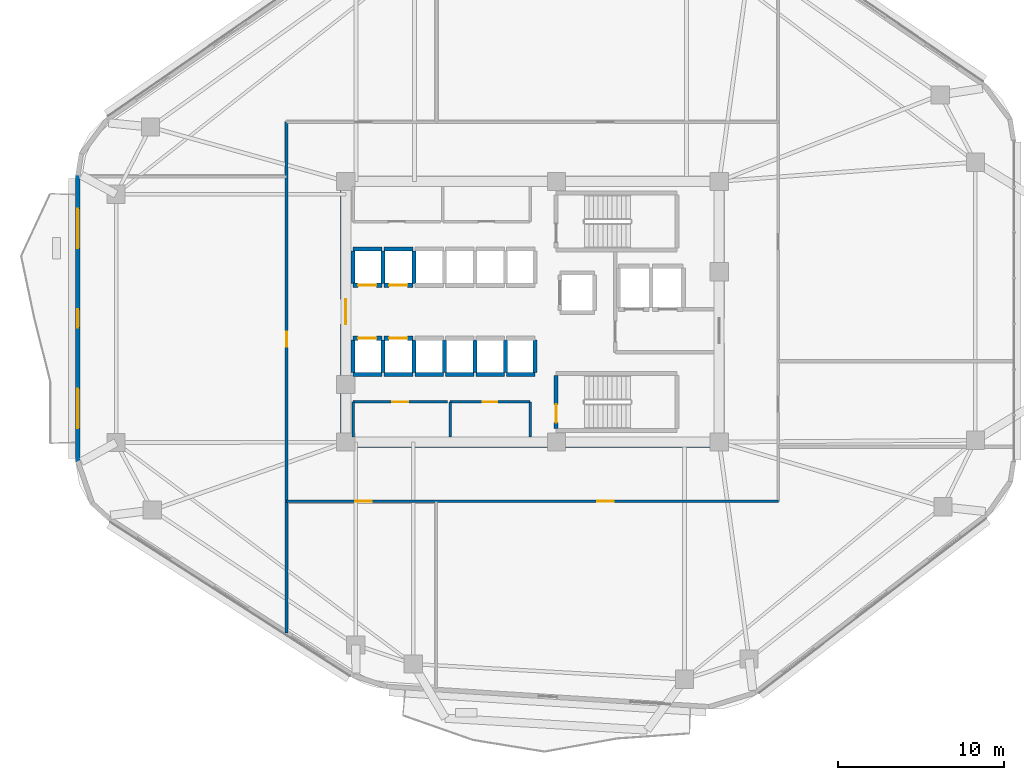
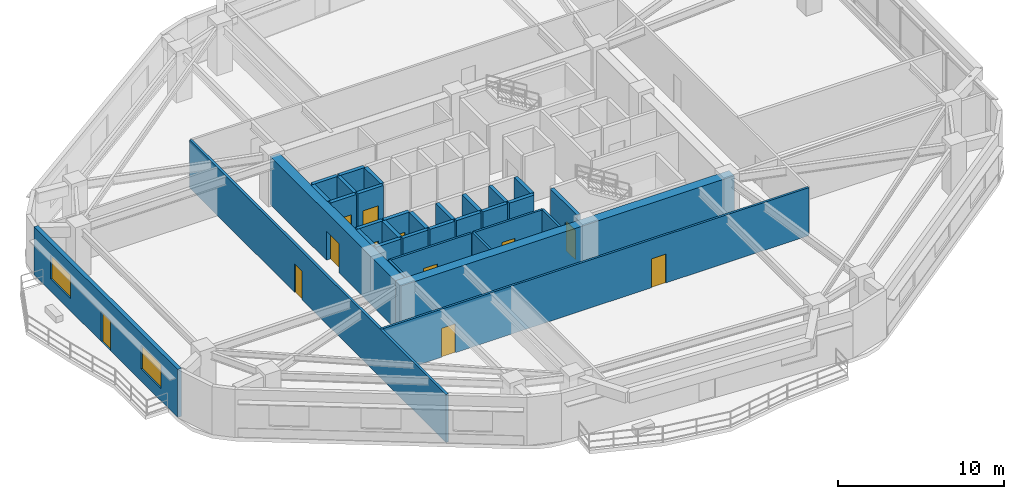
# One storey, part 8 of 13: 33 walls, 12 doors, 2 windows, 14 openings.
"""IFC4 building model written with IfcOpenShell, lengths in metres."""

from ifc_helpers import new_model, si_unit, direction, frame, frame_2d, origin, place, context, subcontext, project, spatial, rectangle, extrude, material, layer, layer_set, type_object, element, fill, save


model = new_model("IFC4")

# Units and contexts
model_context = context("Model", 3, precision=1e-05, world=origin(), true_north=direction((0.0, 1.0)))
body_context = subcontext(model_context, "Body", "Model", "MODEL_VIEW")
ifc_project = project(units=[si_unit("LENGTHUNIT", "METRE"), si_unit("AREAUNIT", "SQUARE_METRE"), si_unit("VOLUMEUNIT", "CUBIC_METRE"), si_unit("PLANEANGLEUNIT", "RADIAN"), si_unit("MASSUNIT", "GRAM", prefix="KILO")], contexts=[model_context])

# Site, building, storey
site_placement = place(None, origin())
site = spatial("IfcSite", under=ifc_project, at=site_placement, CompositionType="ELEMENT")
building_placement = place(site_placement, origin())
building = spatial("IfcBuilding", under=site, at=building_placement, Name="Zulverin Broadcast Headquarters", CompositionType="ELEMENT")
storey_placement = place(building_placement, frame((0.0, 0.0, 108.60009765625)))
storey = spatial("IfcBuildingStorey", under=building, at=storey_placement, Name="L27", CompositionType="ELEMENT", Elevation=108.60009765625)

# Wall
ifc_material_1 = material(Name="Concrete C60/75", Category="concrete")
ifc_layer_1 = layer(ifc_material_1, 0.64990234375, Name="Concrete C60/75", Category="concrete")
ifc_layer_set_1 = layer_set([ifc_layer_1], Name="Concrete C60/75")
wall_type_1 = type_object("IfcWallType", Name="WL-CORE-650", PredefinedType="SHEAR", material=ifc_layer_set_1)
wall_1_placement = place(storey_placement, frame((25.39990234375, 17.324951171875, 0.0), z_axis=(0.0, 0.0, 1.0), x_axis=(1.0, 0.0, 0.0)))
element("IfcWall", 1, at=wall_1_placement, inside=storey, type_object=wall_type_1, Name="L27 Core South Shear Wall", PredefinedType="SHEAR", context=body_context, shape_type="SweptSolid", body=[
    extrude(rectangle(XDim=23.2001953125, YDim=0.64990234375, at=frame_2d((11.60009765625, 0.0))), origin(), (0.0, 0.0, 1.0), 3.52490234375),
])

# Wall, opening, door
wall_2_placement = place(storey_placement, frame((25.72509765625, 17.64990234375, 0.0), z_axis=(0.0, 0.0, 1.0), x_axis=(0.0, 1.0, 0.0)))
wall_2 = element("IfcWall", 2, at=wall_2_placement, inside=storey, type_object=wall_type_1, Name="L27 Core West Shear Wall", PredefinedType="SHEAR", context=body_context, shape_type="SweptSolid", body=[
    extrude(rectangle(XDim=15.10009765625, YDim=0.64990234375, at=frame_2d((7.550048828125, 0.0))), origin(), (0.0, 0.0, 1.0), 3.52490234375),
])
opening_1_placement = place(wall_2_placement, frame((6.800048828125, 0.0, 0.0)))
opening_1 = element("IfcOpeningElement", 3, at=opening_1_placement, cuts=wall_2, Name="Opening D-L27-CW1", PredefinedType="OPENING", context=body_context, shape_type="SweptSolid", body=[
    extrude(rectangle(XDim=1.5, YDim=2.14990234375, at=frame_2d((0.75, 1.074951171875))), frame((0.0, 0.3349609375, 0.0), z_axis=(0.0, -1.0, 0.0), x_axis=(1.0, 0.0, 0.0)), (0.0, 0.0, 1.0), 0.669921875),
])
ifc_material_2 = material(Name="Fire-rated glazed steel frame", Category="steel")
door_type_1 = type_object("IfcDoorType", Name="DR-COR-1500", OperationType="DOUBLE_DOOR_SINGLE_SWING", PredefinedType="DOOR", material=ifc_material_2)
door_1_placement = place(opening_1_placement, origin())
door_1 = element("IfcDoor", 4, at=door_1_placement, inside=storey, type_object=door_type_1, Name="L27 Central Lift Lobby West Portal Door", OperationType="DOUBLE_DOOR_SINGLE_SWING", OverallHeight=2.14990234375, OverallWidth=1.5, PredefinedType="DOOR", context=body_context, shape_type="SweptSolid", body=[
    extrude(rectangle(XDim=1.5, YDim=2.14990234375, at=frame_2d((0.75, 1.074951171875))), frame((0.0, 0.02490234375, 0.0), z_axis=(0.0, -1.0, 0.0), x_axis=(1.0, 0.0, 0.0)), (0.0, 0.0, 1.0), 0.050048828125),
])
fill(opening_1, door_1)

# Wall, openings, door, windows
ifc_material_3 = material(Name="Insulated pale-metal clad concrete spandrel C40/50", Category="concrete")
ifc_layer_2 = layer(ifc_material_3, 0.280029296875, Name="Insulated pale-metal clad concrete spandrel C40/50", Category="concrete")
ifc_layer_set_2 = layer_set([ifc_layer_2], Name="Insulated pale-metal clad concrete spandrel C40/50")
wall_type_2 = type_object("IfcWallType", Name="WL-EXT-280", PredefinedType="STANDARD", material=ifc_layer_set_2)
wall_3_placement = place(storey_placement, frame((9.5400390625, 33.4443359375, 0.0), z_axis=(0.0, 0.0, 1.0), x_axis=(0.0, -1.0, 0.0)))
wall_3 = element("IfcWall", 5, at=wall_3_placement, inside=storey, type_object=wall_type_2, Name="L27 Pale-Metal Clad Spandrel Wall 7", PredefinedType="STANDARD", context=body_context, shape_type="SweptSolid", body=[
    extrude(rectangle(XDim=17.30078125, YDim=0.280029296875, at=frame_2d((8.650390625, 0.0))), origin(), (0.0, 0.0, 1.0), 3.52490234375),
])
opening_2_placement = place(wall_3_placement, frame((8.100341796875, 0.0, 0.0)))
opening_2 = element("IfcOpeningElement", 6, at=opening_2_placement, cuts=wall_3, Name="Opening D-L27-TR7", PredefinedType="OPENING", context=body_context, shape_type="SweptSolid", body=[
    extrude(rectangle(XDim=1.10009765625, YDim=2.199951171875, at=frame_2d((0.550048828125, 1.10009765625))), frame((0.0, 0.14990234375, 0.0), z_axis=(0.0, -1.0, 0.0), x_axis=(1.0, 0.0, 0.0)), (0.0, 0.0, 1.0), 0.300048828125),
])
opening_3_placement = place(wall_3_placement, frame((2.016845703125, 0.0, 0.89990234375)))
opening_3 = element("IfcOpeningElement", 7, at=opening_3_placement, cuts=wall_3, Name="Opening W-L27-E71", PredefinedType="OPENING", context=body_context, shape_type="SweptSolid", body=[
    extrude(rectangle(XDim=2.39990234375, YDim=1.75, at=frame_2d((1.199951171875, 0.875))), frame((0.0, 0.14990234375, 0.0), z_axis=(0.0, -1.0, 0.0), x_axis=(1.0, 0.0, 0.0)), (0.0, 0.0, 1.0), 0.300048828125),
])
opening_4_placement = place(wall_3_placement, frame((12.884033203125, 0.0, 0.89990234375)))
opening_4 = element("IfcOpeningElement", 8, at=opening_4_placement, cuts=wall_3, Name="Opening W-L27-E72", PredefinedType="OPENING", context=body_context, shape_type="SweptSolid", body=[
    extrude(rectangle(XDim=2.39990234375, YDim=1.75, at=frame_2d((1.199951171875, 0.875))), frame((0.0, 0.14990234375, 0.0), z_axis=(0.0, -1.0, 0.0), x_axis=(1.0, 0.0, 0.0)), (0.0, 0.0, 1.0), 0.300048828125),
])
ifc_material_4 = material(Name="Thermally broken aluminium glazed", Category="aluminium")
door_type_2 = type_object("IfcDoorType", Name="DR-TERR-1100", OperationType="SINGLE_SWING_RIGHT", PredefinedType="DOOR", material=ifc_material_4)
door_2_placement = place(opening_2_placement, origin())
door_2 = element("IfcDoor", 9, at=door_2_placement, inside=storey, type_object=door_type_2, Name="L27 Planted Terrace Glazed Access Door 7", OperationType="SINGLE_SWING_RIGHT", OverallHeight=2.199951171875, OverallWidth=1.10009765625, PredefinedType="DOOR", context=body_context, shape_type="SweptSolid", body=[
    extrude(rectangle(XDim=1.10009765625, YDim=2.199951171875, at=frame_2d((0.550048828125, 1.10009765625))), frame((0.0, 0.02490234375, 0.0), z_axis=(0.0, -1.0, 0.0), x_axis=(1.0, 0.0, 0.0)), (0.0, 0.0, 1.0), 0.050048828125),
])
fill(opening_2, door_2)
ifc_material_5 = material(Name="Pale anodized aluminium frame with solar-control low-E double glazing", Category="aluminium")
window_type = type_object("IfcWindowType", Name="WIN-RIB-2400", PartitioningType="SINGLE_PANEL", PredefinedType="WINDOW", material=ifc_material_5)
window_1_placement = place(opening_3_placement, origin())
window_1 = element("IfcWindow", 10, at=window_1_placement, inside=storey, type_object=window_type, Name="L27 Ribbon Glazing Window 7 1", OverallHeight=1.75, OverallWidth=2.39990234375, PartitioningType="SINGLE_PANEL", PredefinedType="WINDOW", context=body_context, shape_type="SweptSolid", body=[
    extrude(rectangle(XDim=2.39990234375, YDim=1.75, at=frame_2d((1.199951171875, 0.875))), frame((0.0, 0.030029296875, 0.0), z_axis=(0.0, -1.0, 0.0), x_axis=(1.0, 0.0, 0.0)), (0.0, 0.0, 1.0), 0.06005859375),
])
fill(opening_3, window_1)
window_2_placement = place(opening_4_placement, origin())
window_2 = element("IfcWindow", 11, at=window_2_placement, inside=storey, type_object=window_type, Name="L27 Ribbon Glazing Window 7 2", OverallHeight=1.75, OverallWidth=2.39990234375, PartitioningType="SINGLE_PANEL", PredefinedType="WINDOW", context=body_context, shape_type="SweptSolid", body=[
    extrude(rectangle(XDim=2.39990234375, YDim=1.75, at=frame_2d((1.199951171875, 0.875))), frame((0.0, 0.030029296875, 0.0), z_axis=(0.0, -1.0, 0.0), x_axis=(1.0, 0.0, 0.0)), (0.0, 0.0, 1.0), 0.06005859375),
])
fill(opening_4, window_2)

# Wall, opening, door
ifc_material_6 = material(Name="Fire-rated gypsum stud partition", Category="gypsum")
ifc_layer_3 = layer(ifc_material_6, 0.14990234375, Name="Fire-rated gypsum stud partition", Category="gypsum")
ifc_layer_set_3 = layer_set([ifc_layer_3], Name="Fire-rated gypsum stud partition")
wall_type_3 = type_object("IfcWallType", Name="WL-PART-150", PredefinedType="PARTITIONING", material=ifc_layer_set_3)
wall_4_placement = place(storey_placement, frame((26.169921875, 19.75, 0.0), z_axis=(0.0, 0.0, 1.0), x_axis=(1.0, 0.0, 0.0)))
wall_4 = element("IfcWall", 12, at=wall_4_placement, inside=storey, type_object=wall_type_3, Name="L27 Core Female WC Front Wall", PredefinedType="PARTITIONING", context=body_context, shape_type="SweptSolid", body=[
    extrude(rectangle(XDim=5.690185546875, YDim=0.14990234375, at=frame_2d((2.84521484375, 0.0))), origin(), (0.0, 0.0, 1.0), 3.52490234375),
])
opening_5_placement = place(wall_4_placement, frame((2.3701171875, 0.0, 0.0)))
opening_5 = element("IfcOpeningElement", 13, at=opening_5_placement, cuts=wall_4, Name="Opening D-L27-SC1", PredefinedType="OPENING", context=body_context, shape_type="SweptSolid", body=[
    extrude(rectangle(XDim=0.949951171875, YDim=2.10009765625, at=frame_2d((0.47509765625, 1.050048828125))), frame((0.0, 0.0849609375, 0.0), z_axis=(0.0, -1.0, 0.0), x_axis=(1.0, 0.0, 0.0)), (0.0, 0.0, 1.0), 0.169921875),
])
ifc_material_7 = material(Name="Fire-rated moisture-resistant laminate leaf", Category="wood")
door_type_3 = type_object("IfcDoorType", Name="DR-WC-950", OperationType="SINGLE_SWING_LEFT", PredefinedType="DOOR", material=ifc_material_7)
door_3_placement = place(opening_5_placement, origin())
door_3 = element("IfcDoor", 14, at=door_3_placement, inside=storey, type_object=door_type_3, Name="L27 Female WC Door", OperationType="SINGLE_SWING_LEFT", OverallHeight=2.10009765625, OverallWidth=0.949951171875, PredefinedType="DOOR", context=body_context, shape_type="SweptSolid", body=[
    extrude(rectangle(XDim=0.949951171875, YDim=2.10009765625, at=frame_2d((0.47509765625, 1.050048828125))), frame((0.0, 0.02490234375, 0.0), z_axis=(0.0, -1.0, 0.0), x_axis=(1.0, 0.0, 0.0)), (0.0, 0.0, 1.0), 0.050048828125),
])
fill(opening_5, door_3)

# Wall
wall_5_placement = place(storey_placement, frame((26.169921875, 17.64990234375, 0.0), z_axis=(0.0, 0.0, 1.0), x_axis=(0.0, 1.0, 0.0)))
element("IfcWall", 15, at=wall_5_placement, inside=storey, type_object=wall_type_3, Name="L27 Core Female WC West Wall", PredefinedType="PARTITIONING", context=body_context, shape_type="SweptSolid", body=[
    extrude(rectangle(XDim=2.10009765625, YDim=0.14990234375, at=frame_2d((1.050048828125, 0.0))), origin(), (0.0, 0.0, 1.0), 3.52490234375),
])

# Wall, opening, door
wall_6_placement = place(storey_placement, frame((32.02001953125, 19.75, 0.0), z_axis=(0.0, 0.0, 1.0), x_axis=(1.0, 0.0, 0.0)))
wall_6 = element("IfcWall", 16, at=wall_6_placement, inside=storey, type_object=wall_type_3, Name="L27 Core Cleaner Store & Telecoms Riser Front Wall", PredefinedType="PARTITIONING", context=body_context, shape_type="SweptSolid", body=[
    extrude(rectangle(XDim=4.830078125, YDim=0.14990234375, at=frame_2d((2.4150390625, 0.0))), origin(), (0.0, 0.0, 1.0), 3.52490234375),
])
opening_6_placement = place(wall_6_placement, frame((1.965087890625, 0.0, 0.0)))
opening_6 = element("IfcOpeningElement", 17, at=opening_6_placement, cuts=wall_6, Name="Opening D-L27-SC2", PredefinedType="OPENING", context=body_context, shape_type="SweptSolid", body=[
    extrude(rectangle(XDim=0.89990234375, YDim=2.10009765625, at=frame_2d((0.449951171875, 1.050048828125))), frame((0.0, 0.0849609375, 0.0), z_axis=(0.0, -1.0, 0.0), x_axis=(1.0, 0.0, 0.0)), (0.0, 0.0, 1.0), 0.169921875),
])
ifc_material_8 = material(Name="Powder-coated steel access leaf", Category="steel")
door_type_4 = type_object("IfcDoorType", Name="DR-RISER-900", OperationType="SINGLE_SWING_LEFT", PredefinedType="DOOR", material=ifc_material_8)
door_4_placement = place(opening_6_placement, origin())
door_4 = element("IfcDoor", 18, at=door_4_placement, inside=storey, type_object=door_type_4, Name="L27 Cleaner Store & Telecoms Riser Door", OperationType="SINGLE_SWING_RIGHT", OverallHeight=2.10009765625, OverallWidth=0.89990234375, PredefinedType="DOOR", context=body_context, shape_type="SweptSolid", body=[
    extrude(rectangle(XDim=0.89990234375, YDim=2.10009765625, at=frame_2d((0.449951171875, 1.050048828125))), frame((0.0, 0.02490234375, 0.0), z_axis=(0.0, -1.0, 0.0), x_axis=(1.0, 0.0, 0.0)), (0.0, 0.0, 1.0), 0.050048828125),
])
fill(opening_6, door_4)

# Walls
for number, where, z_axis, x_axis, name in (
    (19, (32.02001953125, 17.64990234375, 0.0), (0.0, 0.0, 1.0), (0.0, 1.0, 0.0), "L27 Core Cleaner Store & Telecoms Riser West Wall"),
    (20, (36.85009765625, 17.64990234375, 0.0), (0.0, 0.0, 1.0), (0.0, 1.0, 0.0), "L27 Core Cleaner Store & Telecoms Riser East Wall"),
):
    element("IfcWall", number, at=place(storey_placement, frame(where, z_axis=z_axis, x_axis=x_axis)), inside=storey, type_object=wall_type_3, Name=name, PredefinedType="PARTITIONING", context=body_context, shape_type="SweptSolid", body=[
        extrude(rectangle(XDim=2.10009765625, YDim=0.14990234375, at=frame_2d((1.050048828125, 0.0))), origin(), (0.0, 0.0, 1.0), 3.52490234375),
    ])

# Wall, openings, doors
wall_7_placement = place(storey_placement, frame((22.14990234375, 13.75, 0.0), z_axis=(0.0, 0.0, 1.0), x_axis=(1.0, 0.0, 0.0)))
wall_7 = element("IfcWall", 21, at=wall_7_placement, inside=storey, type_object=wall_type_3, Name="L27 Gallery Partition Wall CG-05", PredefinedType="PARTITIONING", context=body_context, shape_type="SweptSolid", body=[
    extrude(rectangle(XDim=29.7001953125, YDim=0.14990234375, at=frame_2d((14.85009765625, 0.0))), origin(), (0.0, 0.0, 1.0), 3.52490234375),
])
opening_7_placement = place(wall_7_placement, frame((4.14501953125, 0.0, 0.0)))
opening_7 = element("IfcOpeningElement", 22, at=opening_7_placement, cuts=wall_7, Name="Opening D-L27-03", PredefinedType="OPENING", context=body_context, shape_type="SweptSolid", body=[
    extrude(rectangle(XDim=1.0, YDim=2.1201171875, at=frame_2d((0.5, 1.06005859375))), frame((0.0, 0.0849609375, 0.0), z_axis=(0.0, -1.0, 0.0), x_axis=(1.0, 0.0, 0.0)), (0.0, 0.0, 1.0), 0.169921875),
])
opening_8_placement = place(wall_7_placement, frame((18.7548828125, 0.0, 0.0)))
opening_8 = element("IfcOpeningElement", 23, at=opening_8_placement, cuts=wall_7, Name="Opening D-L27-04", PredefinedType="OPENING", context=body_context, shape_type="SweptSolid", body=[
    extrude(rectangle(XDim=1.0, YDim=2.1201171875, at=frame_2d((0.5, 1.06005859375))), frame((0.0, 0.0849609375, 0.0), z_axis=(0.0, -1.0, 0.0), x_axis=(1.0, 0.0, 0.0)), (0.0, 0.0, 1.0), 0.169921875),
])
ifc_material_9 = material(Name="Hardwood veneer acoustic leaf", Category="wood")
door_type_5 = type_object("IfcDoorType", Name="DR-OFF-1000", OperationType="SINGLE_SWING_LEFT", PredefinedType="DOOR", material=ifc_material_9)
door_5_placement = place(opening_7_placement, origin())
door_5 = element("IfcDoor", 24, at=door_5_placement, inside=storey, type_object=door_type_5, Name="L27 Investigative Desk Office Door", OperationType="SINGLE_SWING_LEFT", OverallHeight=2.1201171875, OverallWidth=1.0, PredefinedType="DOOR", context=body_context, shape_type="SweptSolid", body=[
    extrude(rectangle(XDim=1.0, YDim=2.1201171875, at=frame_2d((0.5, 1.06005859375))), frame((0.0, 0.02490234375, 0.0), z_axis=(0.0, -1.0, 0.0), x_axis=(1.0, 0.0, 0.0)), (0.0, 0.0, 1.0), 0.050048828125),
])
fill(opening_7, door_5)
door_6_placement = place(opening_8_placement, origin())
door_6 = element("IfcDoor", 25, at=door_6_placement, inside=storey, type_object=door_type_5, Name="L27 Assignment Office Door", OperationType="SINGLE_SWING_RIGHT", OverallHeight=2.1201171875, OverallWidth=1.0, PredefinedType="DOOR", context=body_context, shape_type="SweptSolid", body=[
    extrude(rectangle(XDim=1.0, YDim=2.1201171875, at=frame_2d((0.5, 1.06005859375))), frame((0.0, 0.02490234375, 0.0), z_axis=(0.0, -1.0, 0.0), x_axis=(1.0, 0.0, 0.0)), (0.0, 0.0, 1.0), 0.050048828125),
])
fill(opening_8, door_6)

# Wall, opening, door
ifc_material_10 = material(Name="Fire-rated acoustic stud wall", Category="gypsum")
ifc_layer_4 = layer(ifc_material_10, 0.175048828125, Name="Fire-rated acoustic stud wall", Category="gypsum")
ifc_layer_set_4 = layer_set([ifc_layer_4], Name="Fire-rated acoustic stud wall")
wall_type_4 = type_object("IfcWallType", Name="WL-PART-175", PredefinedType="PARTITIONING", material=ifc_layer_set_4)
wall_8_placement = place(storey_placement, frame((22.14990234375, 5.797607421875, 0.0), z_axis=(0.0, 0.0, 1.0), x_axis=(0.0, 1.0, 0.0)))
wall_8 = element("IfcWall", 26, at=wall_8_placement, inside=storey, type_object=wall_type_4, Name="L27 Gallery Partition Wall CG-04", PredefinedType="PARTITIONING", context=body_context, shape_type="SweptSolid", body=[
    extrude(rectangle(XDim=30.852294921875, YDim=0.175048828125, at=frame_2d((15.42626953125, 0.0))), origin(), (0.0, 0.0, 1.0), 3.52490234375),
])
opening_9_placement = place(wall_8_placement, frame((17.302490234375, 0.0, 0.0)))
opening_9 = element("IfcOpeningElement", 27, at=opening_9_placement, cuts=wall_8, Name="Opening D-L27-05", PredefinedType="OPENING", context=body_context, shape_type="SweptSolid", body=[
    extrude(rectangle(XDim=0.89990234375, YDim=2.10009765625, at=frame_2d((0.449951171875, 1.050048828125))), frame((0.0, 0.097412109375, 0.0), z_axis=(0.0, -1.0, 0.0), x_axis=(1.0, 0.0, 0.0)), (0.0, 0.0, 1.0), 0.195068359375),
])
ifc_material_11 = material(Name="Fire-rated hardwood veneer timber leaf", Category="wood")
door_type_6 = type_object("IfcDoorType", Name="DR-ROOM-900", OperationType="SINGLE_SWING_RIGHT", PredefinedType="DOOR", material=ifc_material_11)
door_7_placement = place(opening_9_placement, origin())
door_7 = element("IfcDoor", 28, at=door_7_placement, inside=storey, type_object=door_type_6, Name="L27 Briefing Room Door", OperationType="SINGLE_SWING_LEFT", OverallHeight=2.10009765625, OverallWidth=0.89990234375, PredefinedType="DOOR", context=body_context, shape_type="SweptSolid", body=[
    extrude(rectangle(XDim=0.89990234375, YDim=2.10009765625, at=frame_2d((0.449951171875, 1.050048828125))), frame((0.0, 0.02490234375, 0.0), z_axis=(0.0, -1.0, 0.0), x_axis=(1.0, 0.0, 0.0)), (0.0, 0.0, 1.0), 0.050048828125),
])
fill(opening_9, door_7)

ifc_material_12 = material(Name="Concrete C50/60", Category="concrete")
ifc_layer_5 = layer(ifc_material_12, 0.25, Name="Concrete C50/60", Category="concrete")
ifc_layer_set_5 = layer_set([ifc_layer_5], Name="Concrete C50/60")
wall_type_5 = type_object("IfcWallType", Name="WL-SHAFT-250", PredefinedType="SHEAR", material=ifc_layer_set_5)
wall_9_placement = place(storey_placement, frame((38.425048828125, 18.14990234375, 0.0), z_axis=(0.0, 0.0, 1.0), x_axis=(0.0, 1.0, 0.0)))
wall_9 = element("IfcWall", 29, at=wall_9_placement, inside=storey, type_object=wall_type_5, Name="L27 ST-2 Enclosure Wall W", PredefinedType="SHEAR", context=body_context, shape_type="SweptSolid", body=[
    extrude(rectangle(XDim=3.2001953125, YDim=0.25, at=frame_2d((1.60009765625, 0.0))), origin(), (0.0, 0.0, 1.0), 3.52490234375),
])
opening_10_placement = place(wall_9_placement, frame((0.35009765625, 0.0, 0.0)))
opening_10 = element("IfcOpeningElement", 30, at=opening_10_placement, cuts=wall_9, Name="Opening D-L27-ST-2", PredefinedType="OPENING", context=body_context, shape_type="SweptSolid", body=[
    extrude(rectangle(XDim=1.10009765625, YDim=2.14990234375, at=frame_2d((0.550048828125, 1.074951171875))), frame((0.0, 0.135009765625, 0.0), z_axis=(0.0, -1.0, 0.0), x_axis=(1.0, 0.0, 0.0)), (0.0, 0.0, 1.0), 0.27001953125),
])
ifc_material_13 = material(Name="Fire-rated steel leaf and frame", Category="steel")
door_type_7 = type_object("IfcDoorType", Name="DR-STAIR-1100", OperationType="SINGLE_SWING_LEFT", PredefinedType="DOOR", material=ifc_material_13)
door_8_placement = place(opening_10_placement, origin())
door_8 = element("IfcDoor", 31, at=door_8_placement, inside=storey, type_object=door_type_7, Name="L27 Exit Stair ST-2 Fire Door", OperationType="SINGLE_SWING_RIGHT", OverallHeight=2.14990234375, OverallWidth=1.10009765625, PredefinedType="DOOR", context=body_context, shape_type="SweptSolid", body=[
    extrude(rectangle(XDim=1.10009765625, YDim=2.14990234375, at=frame_2d((0.550048828125, 1.074951171875))), frame((0.0, 0.02490234375, 0.0), z_axis=(0.0, -1.0, 0.0), x_axis=(1.0, 0.0, 0.0)), (0.0, 0.0, 1.0), 0.050048828125),
])
fill(opening_10, door_8)

wall_10_placement = place(storey_placement, frame((26.14990234375, 26.800048828125, 0.0), z_axis=(0.0, 0.0, 1.0), x_axis=(1.0, 0.0, 0.0)))
wall_10 = element("IfcWall", 32, at=wall_10_placement, inside=storey, type_object=wall_type_5, Name="L27 Lift PL-L1 Shaft Wall S", PredefinedType="SHEAR", context=body_context, shape_type="SweptSolid", body=[
    extrude(rectangle(XDim=1.75, YDim=0.25, at=frame_2d((0.875, 0.0))), origin(), (0.0, 0.0, 1.0), 3.52490234375),
])
opening_11_placement = place(wall_10_placement, frame((0.324951171875, 0.0, 0.0)))
opening_11 = element("IfcOpeningElement", 33, at=opening_11_placement, cuts=wall_10, Name="Opening LD-PL-L1-L27", PredefinedType="OPENING", context=body_context, shape_type="SweptSolid", body=[
    extrude(rectangle(XDim=1.10009765625, YDim=2.14990234375, at=frame_2d((0.550048828125, 1.074951171875))), frame((0.0, 0.135009765625, 0.0), z_axis=(0.0, -1.0, 0.0), x_axis=(1.0, 0.0, 0.0)), (0.0, 0.0, 1.0), 0.27001953125),
])
ifc_material_14 = material(Name="Brushed stainless steel landing", Category="steel")
door_type_8 = type_object("IfcDoorType", Name="LD-PASS-1100", OperationType="DOUBLE_DOOR_SLIDING", PredefinedType="DOOR", material=ifc_material_14)
door_9_placement = place(opening_11_placement, origin())
door_9 = element("IfcDoor", 34, at=door_9_placement, inside=storey, type_object=door_type_8, Name="L27 Lift PL-L1 Sliding Landing Door", OperationType="DOUBLE_DOOR_SLIDING", OverallHeight=2.14990234375, OverallWidth=1.10009765625, PredefinedType="DOOR", context=body_context, shape_type="SweptSolid", body=[
    extrude(rectangle(XDim=1.10009765625, YDim=2.14990234375, at=frame_2d((0.550048828125, 1.074951171875))), frame((0.0, 0.02490234375, 0.0), z_axis=(0.0, -1.0, 0.0), x_axis=(1.0, 0.0, 0.0)), (0.0, 0.0, 1.0), 0.050048828125),
])
fill(opening_11, door_9)

# Walls
wall_11_placement = place(storey_placement, frame((26.14990234375, 29.0, 0.0), z_axis=(0.0, 0.0, 1.0), x_axis=(1.0, 0.0, 0.0)))
element("IfcWall", 35, at=wall_11_placement, inside=storey, type_object=wall_type_5, Name="L27 Lift PL-L1 Shaft Wall N", PredefinedType="SHEAR", context=body_context, shape_type="SweptSolid", body=[
    extrude(rectangle(XDim=1.75, YDim=0.25, at=frame_2d((0.875, 0.0))), origin(), (0.0, 0.0, 1.0), 3.52490234375),
])
for number, where, z_axis, x_axis, name in (
    (36, (26.14990234375, 26.919921875, 0.0), (0.0, 0.0, 1.0), (0.0, 1.0, 0.0), "L27 Lift PL-L1 Shaft Wall W"),
    (37, (27.9599609375, 26.919921875, 0.0), (0.0, 0.0, 1.0), (0.0, 1.0, 0.0), "L27 Lift PL-L1 Shaft Wall E"),
):
    element("IfcWall", number, at=place(storey_placement, frame(where, z_axis=z_axis, x_axis=x_axis)), inside=storey, type_object=wall_type_5, Name=name, PredefinedType="SHEAR", context=body_context, shape_type="SweptSolid", body=[
        extrude(rectangle(XDim=1.9599609375, YDim=0.25, at=frame_2d((0.97998046875, 0.0))), origin(), (0.0, 0.0, 1.0), 3.52490234375),
    ])

# Wall, opening, door
wall_12_placement = place(storey_placement, frame((28.02001953125, 26.800048828125, 0.0), z_axis=(0.0, 0.0, 1.0), x_axis=(1.0, 0.0, 0.0)))
wall_12 = element("IfcWall", 38, at=wall_12_placement, inside=storey, type_object=wall_type_5, Name="L27 Lift PL-L2 Shaft Wall S", PredefinedType="SHEAR", context=body_context, shape_type="SweptSolid", body=[
    extrude(rectangle(XDim=1.75, YDim=0.25, at=frame_2d((0.875, 0.0))), origin(), (0.0, 0.0, 1.0), 3.52490234375),
])
opening_12_placement = place(wall_12_placement, frame((0.324951171875, 0.0, 0.0)))
opening_12 = element("IfcOpeningElement", 39, at=opening_12_placement, cuts=wall_12, Name="Opening LD-PL-L2-L27", PredefinedType="OPENING", context=body_context, shape_type="SweptSolid", body=[
    extrude(rectangle(XDim=1.10009765625, YDim=2.14990234375, at=frame_2d((0.550048828125, 1.074951171875))), frame((0.0, 0.135009765625, 0.0), z_axis=(0.0, -1.0, 0.0), x_axis=(1.0, 0.0, 0.0)), (0.0, 0.0, 1.0), 0.27001953125),
])
door_10_placement = place(opening_12_placement, origin())
door_10 = element("IfcDoor", 40, at=door_10_placement, inside=storey, type_object=door_type_8, Name="L27 Lift PL-L2 Sliding Landing Door", OperationType="DOUBLE_DOOR_SLIDING", OverallHeight=2.14990234375, OverallWidth=1.10009765625, PredefinedType="DOOR", context=body_context, shape_type="SweptSolid", body=[
    extrude(rectangle(XDim=1.10009765625, YDim=2.14990234375, at=frame_2d((0.550048828125, 1.074951171875))), frame((0.0, 0.02490234375, 0.0), z_axis=(0.0, -1.0, 0.0), x_axis=(1.0, 0.0, 0.0)), (0.0, 0.0, 1.0), 0.050048828125),
])
fill(opening_12, door_10)

# Walls
wall_13_placement = place(storey_placement, frame((28.02001953125, 29.0, 0.0), z_axis=(0.0, 0.0, 1.0), x_axis=(1.0, 0.0, 0.0)))
element("IfcWall", 41, at=wall_13_placement, inside=storey, type_object=wall_type_5, Name="L27 Lift PL-L2 Shaft Wall N", PredefinedType="SHEAR", context=body_context, shape_type="SweptSolid", body=[
    extrude(rectangle(XDim=1.75, YDim=0.25, at=frame_2d((0.875, 0.0))), origin(), (0.0, 0.0, 1.0), 3.52490234375),
])
wall_14_placement = place(storey_placement, frame((29.8349609375, 26.919921875, 0.0), z_axis=(0.0, 0.0, 1.0), x_axis=(0.0, 1.0, 0.0)))
element("IfcWall", 42, at=wall_14_placement, inside=storey, type_object=wall_type_5, Name="L27 Lift PL-L2 Shaft Wall E", PredefinedType="SHEAR", context=body_context, shape_type="SweptSolid", body=[
    extrude(rectangle(XDim=1.9599609375, YDim=0.25, at=frame_2d((0.97998046875, 0.0))), origin(), (0.0, 0.0, 1.0), 3.52490234375),
])
wall_15_placement = place(storey_placement, frame((26.14990234375, 21.39990234375, 0.0), z_axis=(0.0, 0.0, 1.0), x_axis=(1.0, 0.0, 0.0)))
element("IfcWall", 43, at=wall_15_placement, inside=storey, type_object=wall_type_5, Name="L27 Lift PL-L3 Shaft Wall S", PredefinedType="SHEAR", context=body_context, shape_type="SweptSolid", body=[
    extrude(rectangle(XDim=1.75, YDim=0.25, at=frame_2d((0.875, 0.0))), origin(), (0.0, 0.0, 1.0), 3.52490234375),
])

# Wall, opening, door
wall_16_placement = place(storey_placement, frame((26.14990234375, 23.60009765625, 0.0), z_axis=(0.0, 0.0, 1.0), x_axis=(1.0, 0.0, 0.0)))
wall_16 = element("IfcWall", 44, at=wall_16_placement, inside=storey, type_object=wall_type_5, Name="L27 Lift PL-L3 Shaft Wall N", PredefinedType="SHEAR", context=body_context, shape_type="SweptSolid", body=[
    extrude(rectangle(XDim=1.75, YDim=0.25, at=frame_2d((0.875, 0.0))), origin(), (0.0, 0.0, 1.0), 3.52490234375),
])
opening_13_placement = place(wall_16_placement, frame((0.324951171875, 0.0, 0.0)))
opening_13 = element("IfcOpeningElement", 45, at=opening_13_placement, cuts=wall_16, Name="Opening LD-PL-L3-L27", PredefinedType="OPENING", context=body_context, shape_type="SweptSolid", body=[
    extrude(rectangle(XDim=1.10009765625, YDim=2.14990234375, at=frame_2d((0.550048828125, 1.074951171875))), frame((0.0, 0.135009765625, 0.0), z_axis=(0.0, -1.0, 0.0), x_axis=(1.0, 0.0, 0.0)), (0.0, 0.0, 1.0), 0.27001953125),
])
door_11_placement = place(opening_13_placement, origin())
door_11 = element("IfcDoor", 46, at=door_11_placement, inside=storey, type_object=door_type_8, Name="L27 Lift PL-L3 Sliding Landing Door", OperationType="DOUBLE_DOOR_SLIDING", OverallHeight=2.14990234375, OverallWidth=1.10009765625, PredefinedType="DOOR", context=body_context, shape_type="SweptSolid", body=[
    extrude(rectangle(XDim=1.10009765625, YDim=2.14990234375, at=frame_2d((0.550048828125, 1.074951171875))), frame((0.0, 0.02490234375, 0.0), z_axis=(0.0, -1.0, 0.0), x_axis=(1.0, 0.0, 0.0)), (0.0, 0.0, 1.0), 0.050048828125),
])
fill(opening_13, door_11)

# Walls
for number, where, z_axis, x_axis, name in (
    (47, (26.14990234375, 21.52001953125, 0.0), (0.0, 0.0, 1.0), (0.0, 1.0, 0.0), "L27 Lift PL-L3 Shaft Wall W"),
    (48, (27.9599609375, 21.52001953125, 0.0), (0.0, 0.0, 1.0), (0.0, 1.0, 0.0), "L27 Lift PL-L3 Shaft Wall E"),
):
    element("IfcWall", number, at=place(storey_placement, frame(where, z_axis=z_axis, x_axis=x_axis)), inside=storey, type_object=wall_type_5, Name=name, PredefinedType="SHEAR", context=body_context, shape_type="SweptSolid", body=[
        extrude(rectangle(XDim=1.9599609375, YDim=0.25, at=frame_2d((0.97998046875, 0.0))), origin(), (0.0, 0.0, 1.0), 3.52490234375),
    ])
wall_17_placement = place(storey_placement, frame((28.02001953125, 21.39990234375, 0.0), z_axis=(0.0, 0.0, 1.0), x_axis=(1.0, 0.0, 0.0)))
element("IfcWall", 49, at=wall_17_placement, inside=storey, type_object=wall_type_5, Name="L27 Lift PL-L4 Shaft Wall S", PredefinedType="SHEAR", context=body_context, shape_type="SweptSolid", body=[
    extrude(rectangle(XDim=1.75, YDim=0.25, at=frame_2d((0.875, 0.0))), origin(), (0.0, 0.0, 1.0), 3.52490234375),
])

# Wall, opening, door
wall_18_placement = place(storey_placement, frame((28.02001953125, 23.60009765625, 0.0), z_axis=(0.0, 0.0, 1.0), x_axis=(1.0, 0.0, 0.0)))
wall_18 = element("IfcWall", 50, at=wall_18_placement, inside=storey, type_object=wall_type_5, Name="L27 Lift PL-L4 Shaft Wall N", PredefinedType="SHEAR", context=body_context, shape_type="SweptSolid", body=[
    extrude(rectangle(XDim=1.75, YDim=0.25, at=frame_2d((0.875, 0.0))), origin(), (0.0, 0.0, 1.0), 3.52490234375),
])
opening_14_placement = place(wall_18_placement, frame((0.324951171875, 0.0, 0.0)))
opening_14 = element("IfcOpeningElement", 51, at=opening_14_placement, cuts=wall_18, Name="Opening LD-PL-L4-L27", PredefinedType="OPENING", context=body_context, shape_type="SweptSolid", body=[
    extrude(rectangle(XDim=1.10009765625, YDim=2.14990234375, at=frame_2d((0.550048828125, 1.074951171875))), frame((0.0, 0.135009765625, 0.0), z_axis=(0.0, -1.0, 0.0), x_axis=(1.0, 0.0, 0.0)), (0.0, 0.0, 1.0), 0.27001953125),
])
door_12_placement = place(opening_14_placement, origin())
door_12 = element("IfcDoor", 52, at=door_12_placement, inside=storey, type_object=door_type_8, Name="L27 Lift PL-L4 Sliding Landing Door", OperationType="DOUBLE_DOOR_SLIDING", OverallHeight=2.14990234375, OverallWidth=1.10009765625, PredefinedType="DOOR", context=body_context, shape_type="SweptSolid", body=[
    extrude(rectangle(XDim=1.10009765625, YDim=2.14990234375, at=frame_2d((0.550048828125, 1.074951171875))), frame((0.0, 0.02490234375, 0.0), z_axis=(0.0, -1.0, 0.0), x_axis=(1.0, 0.0, 0.0)), (0.0, 0.0, 1.0), 0.050048828125),
])
fill(opening_14, door_12)

# Walls
wall_19_placement = place(storey_placement, frame((29.8349609375, 21.52001953125, 0.0), z_axis=(0.0, 0.0, 1.0), x_axis=(0.0, 1.0, 0.0)))
element("IfcWall", 53, at=wall_19_placement, inside=storey, type_object=wall_type_5, Name="L27 Lift PL-L4 Shaft Wall E", PredefinedType="SHEAR", context=body_context, shape_type="SweptSolid", body=[
    extrude(rectangle(XDim=1.9599609375, YDim=0.25, at=frame_2d((0.97998046875, 0.0))), origin(), (0.0, 0.0, 1.0), 3.52490234375),
])
wall_20_placement = place(storey_placement, frame((29.89990234375, 21.39990234375, 0.0), z_axis=(0.0, 0.0, 1.0), x_axis=(1.0, 0.0, 0.0)))
element("IfcWall", 54, at=wall_20_placement, inside=storey, type_object=wall_type_5, Name="L27 Lift PL-M1 Shaft Wall S", PredefinedType="SHEAR", context=body_context, shape_type="SweptSolid", body=[
    extrude(rectangle(XDim=1.72021484375, YDim=0.25, at=frame_2d((0.860107421875, 0.0))), origin(), (0.0, 0.0, 1.0), 3.52490234375),
])
wall_21_placement = place(storey_placement, frame((31.679931640625, 21.52001953125, 0.0), z_axis=(0.0, 0.0, 1.0), x_axis=(0.0, 1.0, 0.0)))
element("IfcWall", 55, at=wall_21_placement, inside=storey, type_object=wall_type_5, Name="L27 Lift PL-M1 Shaft Wall E", PredefinedType="SHEAR", context=body_context, shape_type="SweptSolid", body=[
    extrude(rectangle(XDim=1.9599609375, YDim=0.25, at=frame_2d((0.97998046875, 0.0))), origin(), (0.0, 0.0, 1.0), 3.52490234375),
])
wall_22_placement = place(storey_placement, frame((31.739990234375, 21.39990234375, 0.0), z_axis=(0.0, 0.0, 1.0), x_axis=(1.0, 0.0, 0.0)))
element("IfcWall", 56, at=wall_22_placement, inside=storey, type_object=wall_type_5, Name="L27 Lift PL-M2 Shaft Wall S", PredefinedType="SHEAR", context=body_context, shape_type="SweptSolid", body=[
    extrude(rectangle(XDim=1.719970703125, YDim=0.25, at=frame_2d((0.85986328125, 0.0))), origin(), (0.0, 0.0, 1.0), 3.52490234375),
])
wall_23_placement = place(storey_placement, frame((33.52001953125, 21.52001953125, 0.0), z_axis=(0.0, 0.0, 1.0), x_axis=(0.0, 1.0, 0.0)))
element("IfcWall", 57, at=wall_23_placement, inside=storey, type_object=wall_type_5, Name="L27 Lift PL-M2 Shaft Wall E", PredefinedType="SHEAR", context=body_context, shape_type="SweptSolid", body=[
    extrude(rectangle(XDim=1.9599609375, YDim=0.25, at=frame_2d((0.97998046875, 0.0))), origin(), (0.0, 0.0, 1.0), 3.52490234375),
])
wall_24_placement = place(storey_placement, frame((33.580078125, 21.39990234375, 0.0), z_axis=(0.0, 0.0, 1.0), x_axis=(1.0, 0.0, 0.0)))
element("IfcWall", 58, at=wall_24_placement, inside=storey, type_object=wall_type_5, Name="L27 Lift PL-M3 Shaft Wall S", PredefinedType="SHEAR", context=body_context, shape_type="SweptSolid", body=[
    extrude(rectangle(XDim=1.719970703125, YDim=0.25, at=frame_2d((0.85986328125, 0.0))), origin(), (0.0, 0.0, 1.0), 3.52490234375),
])
wall_25_placement = place(storey_placement, frame((35.360107421875, 21.52001953125, 0.0), z_axis=(0.0, 0.0, 1.0), x_axis=(0.0, 1.0, 0.0)))
element("IfcWall", 59, at=wall_25_placement, inside=storey, type_object=wall_type_5, Name="L27 Lift PL-M3 Shaft Wall E", PredefinedType="SHEAR", context=body_context, shape_type="SweptSolid", body=[
    extrude(rectangle(XDim=1.9599609375, YDim=0.25, at=frame_2d((0.97998046875, 0.0))), origin(), (0.0, 0.0, 1.0), 3.52490234375),
])
wall_26_placement = place(storey_placement, frame((35.419921875, 21.39990234375, 0.0), z_axis=(0.0, 0.0, 1.0), x_axis=(1.0, 0.0, 0.0)))
element("IfcWall", 60, at=wall_26_placement, inside=storey, type_object=wall_type_5, Name="L27 Lift PL-M4 Shaft Wall S", PredefinedType="SHEAR", context=body_context, shape_type="SweptSolid", body=[
    extrude(rectangle(XDim=1.719970703125, YDim=0.25, at=frame_2d((0.85986328125, 0.0))), origin(), (0.0, 0.0, 1.0), 3.52490234375),
])
wall_27_placement = place(storey_placement, frame((37.139892578125, 21.52001953125, 0.0), z_axis=(0.0, 0.0, 1.0), x_axis=(0.0, 1.0, 0.0)))
element("IfcWall", 61, at=wall_27_placement, inside=storey, type_object=wall_type_5, Name="L27 Lift PL-M4 Shaft Wall E", PredefinedType="SHEAR", context=body_context, shape_type="SweptSolid", body=[
    extrude(rectangle(XDim=1.9599609375, YDim=0.25, at=frame_2d((0.97998046875, 0.0))), origin(), (0.0, 0.0, 1.0), 3.52490234375),
])

save(model, "model.ifc")
